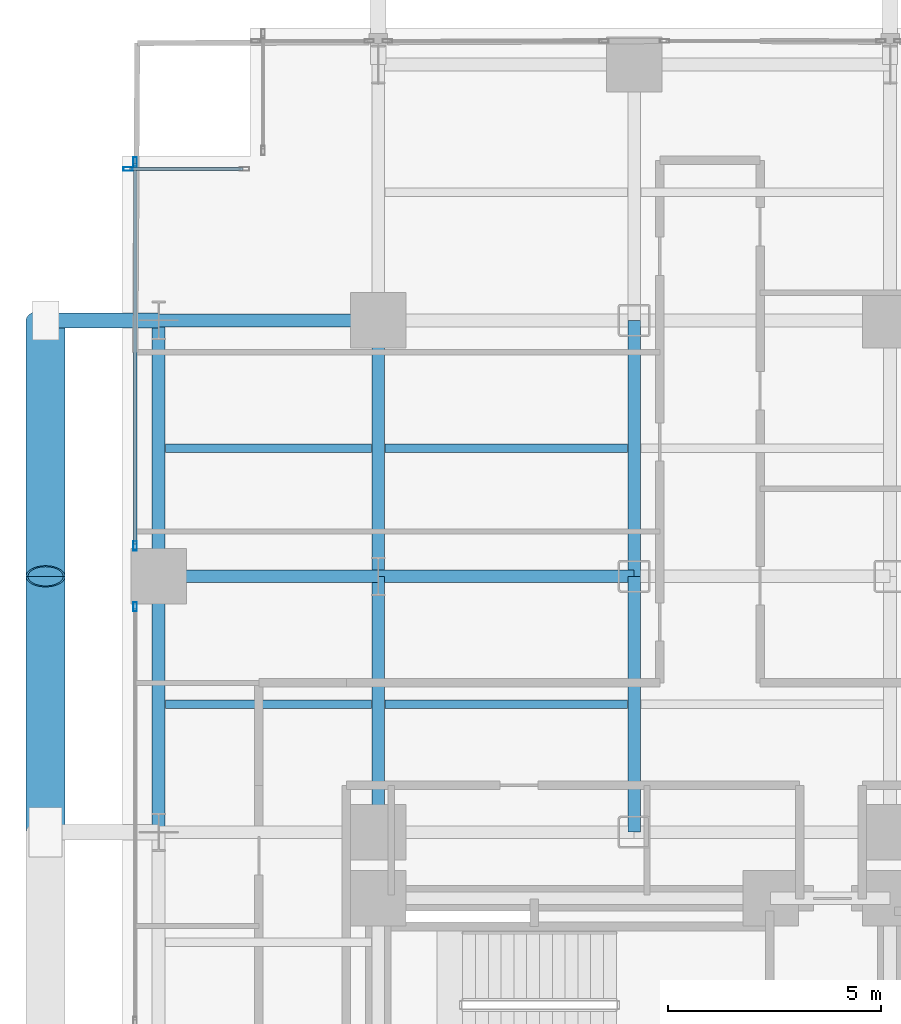
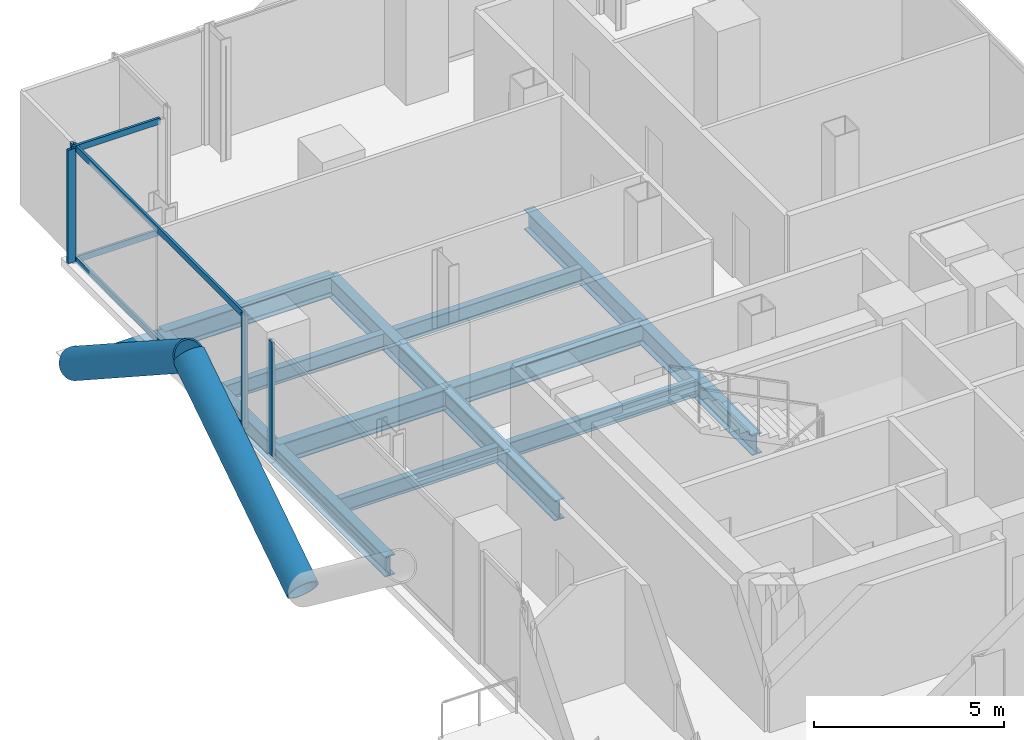
# One storey, part 13 of 25: 13 beams, 11 members, 3 elements without a shape of their own.
"""IFC4 building model written with IfcOpenShell, lengths in metres."""

import ifcopenshell
import ifcopenshell.guid

model = None  # the IFC model being written
_history = None  # IfcOwnerHistory: only IFC2X3 demands one
_inside = {}  # id of a spatial element -> (the spatial element, [elements in it])
_under = {}  # id of a project, library or spatial element -> (it, [spatial elements below it])
_declared = {}  # id of a project -> (the project, [libraries it declares])
_typed = {}  # id of a type object -> (the type object, [elements of that type])
_made_of = {}  # id of a material, layer set ... -> (it, [elements and type objects made of it])


def new_model(schema):
    """Start an empty IFC model of exactly this schema.

    Asked for "IFC4X3", IfcOpenShell would pick the latest addendum, in which some entities
    have other attributes; the version numbers below select the first issue.
    IFC2X3 requires an IfcOwnerHistory on every rooted entity: one is made here for all.
    """
    global model, _history
    if schema == "IFC4X3":
        model = ifcopenshell.file(schema_version=(4, 3, 0, 0))
    else:
        model = ifcopenshell.file(schema=schema)
    _inside.clear()
    _under.clear()
    _declared.clear()
    _typed.clear()
    _made_of.clear()
    _history = None
    if model.schema == "IFC2X3":
        org = make("IfcOrganization", Name="unknown")
        user = make(
            "IfcPersonAndOrganization",
            ThePerson=make("IfcPerson", FamilyName="unknown"),
            TheOrganization=org,
        )
        app = make(
            "IfcApplication",
            ApplicationDeveloper=org,
            Version="unknown",
            ApplicationFullName="unknown",
            ApplicationIdentifier="unknown",
        )
        _history = make(
            "IfcOwnerHistory",
            OwningUser=user,
            OwningApplication=app,
            ChangeAction="ADDED",
            CreationDate=0,
        )
    return model


def make(cls, **values):
    """One entity of the class cls with the attributes given. An attribute that is None is left unset."""
    return model.create_entity(
        cls, **{name: value for name, value in values.items() if value is not None}
    )


def rooted(cls, **values):
    """An entity with a GlobalId (a new one), such as an element, a storey or a relation."""
    return make(cls, GlobalId=ifcopenshell.guid.new(), OwnerHistory=_history, **values)


def si_unit(unit_type, name, prefix=None):
    """IfcSIUnit, for example si_unit("LENGTHUNIT", "METRE", prefix="MILLI")."""
    return make("IfcSIUnit", UnitType=unit_type, Prefix=prefix, Name=name)


def assignment(units):
    """IfcUnitAssignment: the units of a project."""
    return None if units is None else make("IfcUnitAssignment", Units=units)


def point(xyz):
    """IfcCartesianPoint."""
    return None if xyz is None else make("IfcCartesianPoint", Coordinates=xyz)


def direction(xyz):
    """IfcDirection."""
    return None if xyz is None else make("IfcDirection", DirectionRatios=xyz)


def frame(location, z_axis=None, x_axis=None):
    """IfcAxis2Placement3D, a coordinate frame: its origin and axes. An axis left out is left unset."""
    return make(
        "IfcAxis2Placement3D",
        Location=point(location),
        Axis=direction(z_axis),
        RefDirection=direction(x_axis),
    )


def frame_2d(location, x_axis=None):
    """IfcAxis2Placement2D, a coordinate frame in the plane: its origin and x axis."""
    return make(
        "IfcAxis2Placement2D", Location=point(location), RefDirection=direction(x_axis)
    )


def origin():
    """The frame at (0, 0, 0) with its axes left unset."""
    return frame((0.0, 0.0, 0.0))


def origin_2d():
    """The frame at (0, 0) in the plane with its x axis left unset."""
    return frame_2d((0.0, 0.0))


def place(relative_to, where):
    """IfcLocalPlacement: puts the frame where relative to a parent placement (None: the world)."""
    return make(
        "IfcLocalPlacement", PlacementRelTo=relative_to, RelativePlacement=where
    )


def context(
    kind, dimensions, precision=None, world=None, true_north=None, identifier=None
):
    """IfcGeometricRepresentationContext, for example the 3D "Model" context."""
    return make(
        "IfcGeometricRepresentationContext",
        ContextIdentifier=identifier,
        ContextType=kind,
        CoordinateSpaceDimension=dimensions,
        Precision=precision,
        WorldCoordinateSystem=world,
        TrueNorth=true_north,
    )


def subcontext(parent, identifier, kind, view, scale=None):
    """IfcGeometricRepresentationSubContext, for example "Body" below "Model"."""
    return make(
        "IfcGeometricRepresentationSubContext",
        ContextIdentifier=identifier,
        ContextType=kind,
        ParentContext=parent,
        TargetScale=scale,
        TargetView=view,
    )


def project(units=None, contexts=None):
    """IfcProject with its units and contexts."""
    return rooted(
        "IfcProject",
        Name="project",
        RepresentationContexts=contexts,
        UnitsInContext=assignment(units),
    )


def spatial(cls, under=None, at=None, **own):
    """A site, building, storey or space (cls), placed at a placement, below another one or the project."""
    s = rooted(cls, ObjectPlacement=at, **own)
    if under is not None:
        _under.setdefault(under.id(), (under, []))[1].append(s)
    return s


def profile(cls, at=None, kind="AREA", **sizes):
    """A parametric profile (cls). Its sizes go by their IFC names, for example OverallWidth=200.0."""
    return make(cls, ProfileType=kind, Position=at, **sizes)


def hollow_rectangle(**sizes):
    """IfcRectangleHollowProfileDef."""
    return profile("IfcRectangleHollowProfileDef", **sizes)


def hollow_circle(**sizes):
    """IfcCircleHollowProfileDef."""
    return profile("IfcCircleHollowProfileDef", **sizes)


def i_section(**sizes):
    """IfcIShapeProfileDef."""
    return profile("IfcIShapeProfileDef", **sizes)


def extrude(swept, where, along, depth):
    """IfcExtrudedAreaSolid: the profile swept, set in the frame where, extruded along a direction by depth."""
    return make(
        "IfcExtrudedAreaSolid",
        SweptArea=swept,
        Position=where,
        ExtrudedDirection=direction(along),
        Depth=depth,
    )


def shape(context_of_items, identifier, shape_type, items):
    """IfcShapeRepresentation: the items that make up one representation, for example the "Body"."""
    return make(
        "IfcShapeRepresentation",
        ContextOfItems=context_of_items,
        RepresentationIdentifier=identifier,
        RepresentationType=shape_type,
        Items=items,
    )


def material(Name=None, Category=None):
    """IfcMaterial."""
    return make("IfcMaterial", Name=Name, Category=Category)


def layer(
    of_material, thickness, ventilated=None, Name=None, Category=None, Priority=None
):
    """IfcMaterialLayer: one layer of a wall or slab, of a material (None: an air gap)."""
    return make(
        "IfcMaterialLayer",
        Material=of_material,
        LayerThickness=thickness,
        IsVentilated=ventilated,
        Name=Name,
        Category=Category,
        Priority=Priority,
    )


def layer_set(layers, Name=None):
    """IfcMaterialLayerSet."""
    return make("IfcMaterialLayerSet", MaterialLayers=layers, LayerSetName=Name)


def material_profile(
    of_material, cross_section, Name=None, Category=None, Priority=None
):
    """IfcMaterialProfile: a cross section and its material."""
    return make(
        "IfcMaterialProfile",
        Name=Name,
        Material=of_material,
        Profile=cross_section,
        Priority=Priority,
        Category=Category,
    )


def profile_set(profiles, Name=None, composite=None):
    """IfcMaterialProfileSet."""
    return make(
        "IfcMaterialProfileSet",
        Name=Name,
        MaterialProfiles=profiles,
        CompositeProfile=composite,
    )


def made_of(thing, what):
    """Note that an element or type object is made of a material, layer set ...; save() writes the relation."""
    if what is not None:
        _made_of.setdefault(what.id(), (what, []))[1].append(thing)
    return thing


def type_object(cls, material=None, **own):
    """A type object (cls), such as IfcWallType, which elements share."""
    return made_of(rooted(cls, **own), material)


def element(
    cls,
    number,
    at=None,
    inside=None,
    cuts=None,
    type_object=None,
    material=None,
    context=None,
    identifier="Body",
    shape_type=None,
    held_by="IfcProductDefinitionShape",
    body=None,
    shapes=None,
    **own,
):
    """One element of the class cls, such as IfcWall. Its Tag is "e" and its number.

    at: its placement. inside: the storey or other place that contains it. cuts: it is an
    opening in that element (IfcRelVoidsElement). A single representation is given by context,
    identifier, shape_type and body (its items); several are given by shapes. held_by: the class
    of the entity that holds the representations. save() writes the other relations.
    """
    e = rooted(cls, Tag="e%d" % number, ObjectPlacement=at, **own)
    if body is not None:
        shapes = [shape(context, identifier, shape_type, body)]
    if shapes is not None:
        e.Representation = make(held_by, Representations=shapes)
    if inside is not None:
        _inside.setdefault(inside.id(), (inside, []))[1].append(e)
    if cuts is not None:
        rooted(
            "IfcRelVoidsElement", RelatingBuildingElement=cuts, RelatedOpeningElement=e
        )
    if type_object is not None:
        _typed.setdefault(type_object.id(), (type_object, []))[1].append(e)
    return made_of(e, material)


def aggregate(whole, parts):
    """IfcRelAggregates: a whole, such as a stair, and the parts it consists of."""
    return rooted("IfcRelAggregates", RelatingObject=whole, RelatedObjects=parts)


def save(model, path):
    """Write the relations noted so far, then the file.

    IfcRelAggregates (storeys below a building ...), IfcRelContainedInSpatialStructure (elements
    in a storey), IfcRelDefinesByType, IfcRelAssociatesMaterial and IfcRelDeclares: one each for
    every whole, place, type object, material and project.
    """
    for whole, parts in _under.values():
        aggregate(whole, parts)
    for where, things in _inside.values():
        rooted(
            "IfcRelContainedInSpatialStructure",
            RelatedElements=things,
            RelatingStructure=where,
        )
    for kind, things in _typed.values():
        rooted("IfcRelDefinesByType", RelatedObjects=things, RelatingType=kind)
    for what, things in _made_of.values():
        rooted("IfcRelAssociatesMaterial", RelatedObjects=things, RelatingMaterial=what)
    for by, libraries in _declared.values():
        rooted("IfcRelDeclares", RelatingContext=by, RelatedDefinitions=libraries)
    model.write(path)


model = new_model("IFC4")

# Units and contexts
model_context = context("Model", 3, precision=1e-05, world=origin(), true_north=direction((0.0, 1.0)))
body_context = subcontext(model_context, "Body", "Model", "MODEL_VIEW")
ifc_project = project(units=[si_unit("LENGTHUNIT", "METRE"), si_unit("AREAUNIT", "SQUARE_METRE"), si_unit("VOLUMEUNIT", "CUBIC_METRE"), si_unit("PLANEANGLEUNIT", "RADIAN"), si_unit("MASSUNIT", "GRAM", prefix="KILO"), si_unit("THERMODYNAMICTEMPERATUREUNIT", "KELVIN"), si_unit("POWERUNIT", "WATT")], contexts=[model_context])

# Site, building, storey
site_placement = place(None, origin())
site = spatial("IfcSite", under=ifc_project, at=site_placement, CompositionType="ELEMENT")
building_placement = place(site_placement, origin())
building = spatial("IfcBuilding", under=site, at=building_placement, Name="Svarakhadi Broadcast Tower", CompositionType="ELEMENT")
storey_placement = place(building_placement, frame((0.0, 0.0, 48.0)))
storey = spatial("IfcBuildingStorey", under=building, at=storey_placement, Name="L10", CompositionType="ELEMENT", Elevation=48.0)

# Beams
ifc_material_1 = material(Name="Steel S355J2 (IS 2062 E350C)", Category="steel")
ifc_material_profile_1 = material_profile(ifc_material_1, i_section(OverallWidth=0.199951171875, OverallDepth=0.5, WebThickness=0.01025390625, FlangeThickness=0.01611328125, FilletRadius=0.02099609375, at=origin_2d()), Name="NPB 500x200x91")
ifc_profile_set_1 = profile_set([ifc_material_profile_1], Name="Steel S355J2 (IS 2062 E350C)")
beam_type_1 = type_object("IfcBeamType", Name="Beam_NPB500", PredefinedType="BEAM", material=ifc_profile_set_1)
for number, where, z_axis, x_axis, name in (
    (1, (1.010009765625, 32.14990234375, -0.5), (1.0, 0.0, 0.0), (0.0, 1.0, 0.0), "L10 Secondary Composite Beam SB005"),
    (2, (1.010009765625, 38.14990234375, -0.5), (1.0, 0.0, 0.0), (0.0, 1.0, 0.0), "L10 Secondary Composite Beam SB006"),
):
    element("IfcBeam", number, at=place(storey_placement, frame(where, z_axis=z_axis, x_axis=x_axis)), inside=storey, type_object=beam_type_1, Name=name, PredefinedType="BEAM", context=body_context, shape_type="SweptSolid", body=[
        extrude(i_section(OverallWidth=0.199951171875, OverallDepth=0.5, WebThickness=0.01025390625, FlangeThickness=0.01611328125, FilletRadius=0.02099609375, at=origin_2d()), origin(), (0.0, 0.0, 1.0), 4.830078125),
    ])
for number, where, z_axis, x_axis, name in (
    (3, (6.159912109375, 32.14990234375, -0.5), (1.0, 0.0, 0.0), (0.0, 1.0, 0.0), "L10 Secondary Composite Beam SB010"),
    (4, (6.159912109375, 38.14990234375, -0.5), (1.0, 0.0, 0.0), (0.0, 1.0, 0.0), "L10 Secondary Composite Beam SB011"),
):
    element("IfcBeam", number, at=place(storey_placement, frame(where, z_axis=z_axis, x_axis=x_axis)), inside=storey, type_object=beam_type_1, Name=name, PredefinedType="BEAM", context=body_context, shape_type="SweptSolid", body=[
        extrude(i_section(OverallWidth=0.199951171875, OverallDepth=0.5, WebThickness=0.01025390625, FlangeThickness=0.01611328125, FilletRadius=0.02099609375, at=origin_2d()), origin(), (0.0, 0.0, 1.0), 5.68017578125),
    ])

# Curtain wall, member
ifc_material_2 = material(Name="Anodised Bronze Aluminium AA 6063-T6", Category="aluminium")
ifc_layer = layer(ifc_material_2, 0.219970703125)
ifc_layer_set = layer_set([ifc_layer], Name="Anodised Bronze Aluminium AA 6063-T6")
curtain_wall_type = type_object("IfcCurtainWallType", Name="CW_Sys_02", PredefinedType="NOTDEFINED", material=ifc_layer_set)
curtain_wall_1_placement = place(storey_placement, origin())
curtain_wall_1 = element("IfcCurtainWall", 5, at=curtain_wall_1_placement, inside=storey, type_object=curtain_wall_type, Name="L10 West Curtain Wall 03 Bay 2", PredefinedType="NOTDEFINED")
ifc_material_profile_2 = material_profile(ifc_material_2, hollow_rectangle(XDim=0.0849609375, YDim=0.219970703125, WallThickness=0.006103515625, at=origin_2d()), Name="ALU MULLION 220x85x6")
ifc_profile_set_2 = profile_set([ifc_material_profile_2], Name="Anodised Bronze Aluminium AA 6063-T6")
member_type_1 = type_object("IfcMemberType", Name="CW_Sys_02_Mul", PredefinedType="MULLION", material=ifc_profile_set_2)
member_1_placement = place(storey_placement, frame((0.300048828125, 34.4375, 0.0), z_axis=(0.0, 0.0, 1.0), x_axis=(-1.0, 0.0, 0.0)))
member_1 = element("IfcMember", 6, at=member_1_placement, type_object=member_type_1, Name="CW-02 mullion 2", PredefinedType="MULLION", context=body_context, shape_type="SweptSolid", body=[
    extrude(hollow_rectangle(XDim=0.0849609375, YDim=0.219970703125, WallThickness=0.006103515625, at=origin_2d()), origin(), (0.0, 0.0, 1.0), 3.64990234375),
])
aggregate(curtain_wall_1, [member_1])

# Curtain wall, members
curtain_wall_2_placement = place(storey_placement, origin())
curtain_wall_2 = element("IfcCurtainWall", 7, at=curtain_wall_2_placement, inside=storey, type_object=curtain_wall_type, Name="L10 West Curtain Wall 03 Bay 3", PredefinedType="NOTDEFINED")
member_2_placement = place(storey_placement, frame((0.300048828125, 35.862548828125, 0.0), z_axis=(0.0, 0.0, 1.0), x_axis=(-1.0, 0.0, 0.0)))
member_2 = element("IfcMember", 8, at=member_2_placement, type_object=member_type_1, Name="CW-02 mullion 1", PredefinedType="MULLION", context=body_context, shape_type="SweptSolid", body=[
    extrude(hollow_rectangle(XDim=0.0849609375, YDim=0.219970703125, WallThickness=0.006103515625, at=origin_2d()), origin(), (0.0, 0.0, 1.0), 3.64990234375),
])
member_3_placement = place(storey_placement, frame((0.300048828125, 44.867431640625, 0.0), z_axis=(0.0, 0.0, 1.0), x_axis=(-1.0, 0.0, 0.0)))
member_3 = element("IfcMember", 9, at=member_3_placement, type_object=member_type_1, Name="CW-02 mullion 2", PredefinedType="MULLION", context=body_context, shape_type="SweptSolid", body=[
    extrude(hollow_rectangle(XDim=0.0849609375, YDim=0.219970703125, WallThickness=0.006103515625, at=origin_2d()), origin(), (0.0, 0.0, 1.0), 3.64990234375),
])

# Curtain wall, member
curtain_wall_3_placement = place(storey_placement, origin())
curtain_wall_3 = element("IfcCurtainWall", 10, at=curtain_wall_3_placement, inside=storey, type_object=curtain_wall_type, Name="L10 Unitised Facade Curtain Wall 04", PredefinedType="NOTDEFINED")
member_4_placement = place(storey_placement, frame((0.132568359375, 44.699951171875, 0.0), z_axis=(0.0, 0.0, 1.0), x_axis=(0.0, 1.0, 0.0)))
member_4 = element("IfcMember", 11, at=member_4_placement, type_object=member_type_1, Name="CW-02 mullion 1", PredefinedType="MULLION", context=body_context, shape_type="SweptSolid", body=[
    extrude(hollow_rectangle(XDim=0.0849609375, YDim=0.219970703125, WallThickness=0.006103515625, at=origin_2d()), origin(), (0.0, 0.0, 1.0), 3.64990234375),
])

# Member
ifc_material_profile_3 = material_profile(ifc_material_2, hollow_rectangle(XDim=0.074951171875, YDim=0.199951171875, WallThickness=0.0048828125, at=origin_2d()), Name="ALU TRANSOM 200x75x5")
ifc_profile_set_3 = profile_set([ifc_material_profile_3], Name="Anodised Bronze Aluminium AA 6063-T6")
member_type_2 = type_object("IfcMemberType", Name="CW_Sys_02_Trn", PredefinedType="USERDEFINED", material=ifc_profile_set_3)
member_5_placement = place(storey_placement, frame((0.300048828125, 35.905029296875, 0.03759765625), z_axis=(0.0, 1.0, 0.0), x_axis=(-1.0, 0.0, 0.0)))
member_5 = element("IfcMember", 12, at=member_5_placement, type_object=member_type_2, Name="CW-02 transom 1.1", ObjectType="TRANSOM", PredefinedType="USERDEFINED", context=body_context, shape_type="SweptSolid", body=[
    extrude(hollow_rectangle(XDim=0.074951171875, YDim=0.199951171875, WallThickness=0.0048828125, at=origin_2d()), origin(), (0.0, 0.0, 1.0), 8.919921875),
])

member_6_placement = place(storey_placement, frame((0.300048828125, 35.905029296875, 3.612548828125), z_axis=(0.0, 1.0, 0.0), x_axis=(-1.0, 0.0, 0.0)))
member_6 = element("IfcMember", 13, at=member_6_placement, type_object=member_type_2, Name="CW-02 transom 1.2", ObjectType="TRANSOM", PredefinedType="USERDEFINED", context=body_context, shape_type="SweptSolid", body=[
    extrude(hollow_rectangle(XDim=0.074951171875, YDim=0.199951171875, WallThickness=0.0048828125, at=origin_2d()), origin(), (0.0, 0.0, 1.0), 8.919921875),
])

aggregate(curtain_wall_2, [member_2, member_3, member_5, member_6])

member_7_placement = place(storey_placement, frame((0.175048828125, 44.699951171875, 0.03759765625), z_axis=(1.0, 0.0, 0.0), x_axis=(0.0, 1.0, 0.0)))
member_7 = element("IfcMember", 14, at=member_7_placement, type_object=member_type_2, Name="CW-02 transom 1.1", ObjectType="TRANSOM", PredefinedType="USERDEFINED", context=body_context, shape_type="SweptSolid", body=[
    extrude(hollow_rectangle(XDim=0.074951171875, YDim=0.199951171875, WallThickness=0.0048828125, at=origin_2d()), origin(), (0.0, 0.0, 1.0), 2.64990234375),
])

member_8_placement = place(storey_placement, frame((0.175048828125, 44.699951171875, 3.612548828125), z_axis=(1.0, 0.0, 0.0), x_axis=(0.0, 1.0, 0.0)))
member_8 = element("IfcMember", 15, at=member_8_placement, type_object=member_type_2, Name="CW-02 transom 1.2", ObjectType="TRANSOM", PredefinedType="USERDEFINED", context=body_context, shape_type="SweptSolid", body=[
    extrude(hollow_rectangle(XDim=0.074951171875, YDim=0.199951171875, WallThickness=0.0048828125, at=origin_2d()), origin(), (0.0, 0.0, 1.0), 2.64990234375),
])

aggregate(curtain_wall_3, [member_4, member_7, member_8])

# Members
ifc_material_3 = material(Name="Steel S460ML (IS 2062 E450BR)", Category="steel")
ifc_material_profile_4 = material_profile(ifc_material_3, hollow_circle(Radius=0.45703125, WallThickness=0.044921875, at=origin_2d()), Name="CHS 914x45")
ifc_profile_set_4 = profile_set([ifc_material_profile_4], Name="Steel S460ML (IS 2062 E450BR)")
member_type_3 = type_object("IfcMemberType", Name="Exo_Brace_CHS914", PredefinedType="BRACE", material=ifc_profile_set_4)
for number, where, z_axis, x_axis, name in (
    (16, (-1.800048828125, 29.14990234375, -0.427734375), (0.0, 0.838449851971, 0.544978757136), (-1.0, 0.0, 0.0), "L10 Exposed Bronze Exoskeleton Diagonal W06"),
    (17, (-1.800048828125, 41.14990234375, -0.427734375), (0.0, -0.838449851971, 0.544978757136), (1.0, 0.0, 0.0), "L10 Exposed Bronze Exoskeleton Diagonal W07"),
):
    element("IfcMember", number, at=place(storey_placement, frame(where, z_axis=z_axis, x_axis=x_axis)), inside=storey, type_object=member_type_3, Name=name, PredefinedType="BRACE", context=body_context, shape_type="SweptSolid", body=[
        extrude(hollow_circle(Radius=0.45703125, WallThickness=0.044921875, at=origin_2d()), origin(), (0.0, 0.0, 1.0), 7.156005859375),
    ])
ifc_material_profile_5 = material_profile(ifc_material_3, hollow_circle(Radius=0.177734375, WallThickness=0.02001953125, at=origin_2d()), Name="CHS 355.6x20")
ifc_profile_set_5 = profile_set([ifc_material_profile_5], Name="Steel S460ML (IS 2062 E450BR)")
member_type_4 = type_object("IfcMemberType", Name="Exo_Radial_Strut_Z1", PredefinedType="STRUT", material=ifc_profile_set_5)
member_9_placement = place(storey_placement, frame((-1.800048828125, 41.14990234375, -0.427734375), z_axis=(1.0, 0.0, 0.0), x_axis=(0.0, 1.0, 0.0)))
element("IfcMember", 18, at=member_9_placement, inside=storey, type_object=member_type_4, Name="L10 Exoskeleton Radial Tie Strut W08", PredefinedType="STRUT", context=body_context, shape_type="SweptSolid", body=[
    extrude(hollow_circle(Radius=0.177734375, WallThickness=0.02001953125, at=origin_2d()), origin(), (0.0, 0.0, 1.0), 2.650146484375),
])

# Beams
ifc_material_profile_6 = material_profile(ifc_material_1, i_section(OverallWidth=0.300048828125, OverallDepth=0.64990234375, WebThickness=0.01611328125, FlangeThickness=0.031005859375, FilletRadius=0.027099609375, at=origin_2d()), Name="WPB 650x300x225")
ifc_profile_set_6 = profile_set([ifc_material_profile_6], Name="Steel S355J2 (IS 2062 E350C)")
beam_type_2 = type_object("IfcBeamType", Name="Girder_WPB650", PredefinedType="USERDEFINED", material=ifc_profile_set_6)
beam_1_placement = place(storey_placement, frame((0.85009765625, 35.14990234375, -0.574951171875), z_axis=(1.0, 0.0, 0.0), x_axis=(0.0, 1.0, 0.0)))
element("IfcBeam", 19, at=beam_1_placement, inside=storey, type_object=beam_type_2, Name="L10 Primary E-W Girder G037", ObjectType="GIRDER", PredefinedType="USERDEFINED", context=body_context, shape_type="SweptSolid", body=[
    extrude(i_section(OverallWidth=0.300048828125, OverallDepth=0.64990234375, WebThickness=0.01611328125, FlangeThickness=0.031005859375, FilletRadius=0.027099609375, at=origin_2d()), origin(), (0.0, 0.0, 1.0), 5.14990234375),
])
beam_2_placement = place(storey_placement, frame((6.0, 35.14990234375, -0.574951171875), z_axis=(1.0, 0.0, 0.0), x_axis=(0.0, 1.0, 0.0)))
element("IfcBeam", 20, at=beam_2_placement, inside=storey, type_object=beam_type_2, Name="L10 Primary E-W Girder G038", ObjectType="GIRDER", PredefinedType="USERDEFINED", context=body_context, shape_type="SweptSolid", body=[
    extrude(i_section(OverallWidth=0.300048828125, OverallDepth=0.64990234375, WebThickness=0.01611328125, FlangeThickness=0.031005859375, FilletRadius=0.027099609375, at=origin_2d()), origin(), (0.0, 0.0, 1.0), 6.0),
])
beam_3_placement = place(storey_placement, frame((0.85009765625, 41.14990234375, -0.574951171875), z_axis=(1.0, 0.0, 0.0), x_axis=(0.0, 1.0, 0.0)))
element("IfcBeam", 21, at=beam_3_placement, inside=storey, type_object=beam_type_2, Name="L10 Primary E-W Girder G040", ObjectType="GIRDER", PredefinedType="USERDEFINED", context=body_context, shape_type="SweptSolid", body=[
    extrude(i_section(OverallWidth=0.300048828125, OverallDepth=0.64990234375, WebThickness=0.01611328125, FlangeThickness=0.031005859375, FilletRadius=0.027099609375, at=origin_2d()), origin(), (0.0, 0.0, 1.0), 5.14990234375),
])
for number, where, z_axis, x_axis, name in (
    (22, (0.85009765625, 29.14990234375, -0.574951171875), (0.0, 1.0, 0.0), (-1.0, 0.0, 0.0), "L10 Primary N-S Girder G049"),
    (23, (0.85009765625, 35.14990234375, -0.574951171875), (0.0, 1.0, 0.0), (-1.0, 0.0, 0.0), "L10 Primary N-S Girder G050"),
    (24, (6.0, 29.14990234375, -0.574951171875), (0.0, 1.0, 0.0), (-1.0, 0.0, 0.0), "L10 Primary N-S Girder G055"),
    (25, (6.0, 35.14990234375, -0.574951171875), (0.0, 1.0, 0.0), (-1.0, 0.0, 0.0), "L10 Primary N-S Girder G056"),
    (26, (12.0, 29.14990234375, -0.574951171875), (0.0, 1.0, 0.0), (-1.0, 0.0, 0.0), "L10 Primary N-S Girder G061"),
    (27, (12.0, 35.14990234375, -0.574951171875), (0.0, 1.0, 0.0), (-1.0, 0.0, 0.0), "L10 Primary N-S Girder G062"),
):
    element("IfcBeam", number, at=place(storey_placement, frame(where, z_axis=z_axis, x_axis=x_axis)), inside=storey, type_object=beam_type_2, Name=name, ObjectType="GIRDER", PredefinedType="USERDEFINED", context=body_context, shape_type="SweptSolid", body=[
        extrude(i_section(OverallWidth=0.300048828125, OverallDepth=0.64990234375, WebThickness=0.01611328125, FlangeThickness=0.031005859375, FilletRadius=0.027099609375, at=origin_2d()), origin(), (0.0, 0.0, 1.0), 6.0),
    ])

save(model, "model.ifc")
